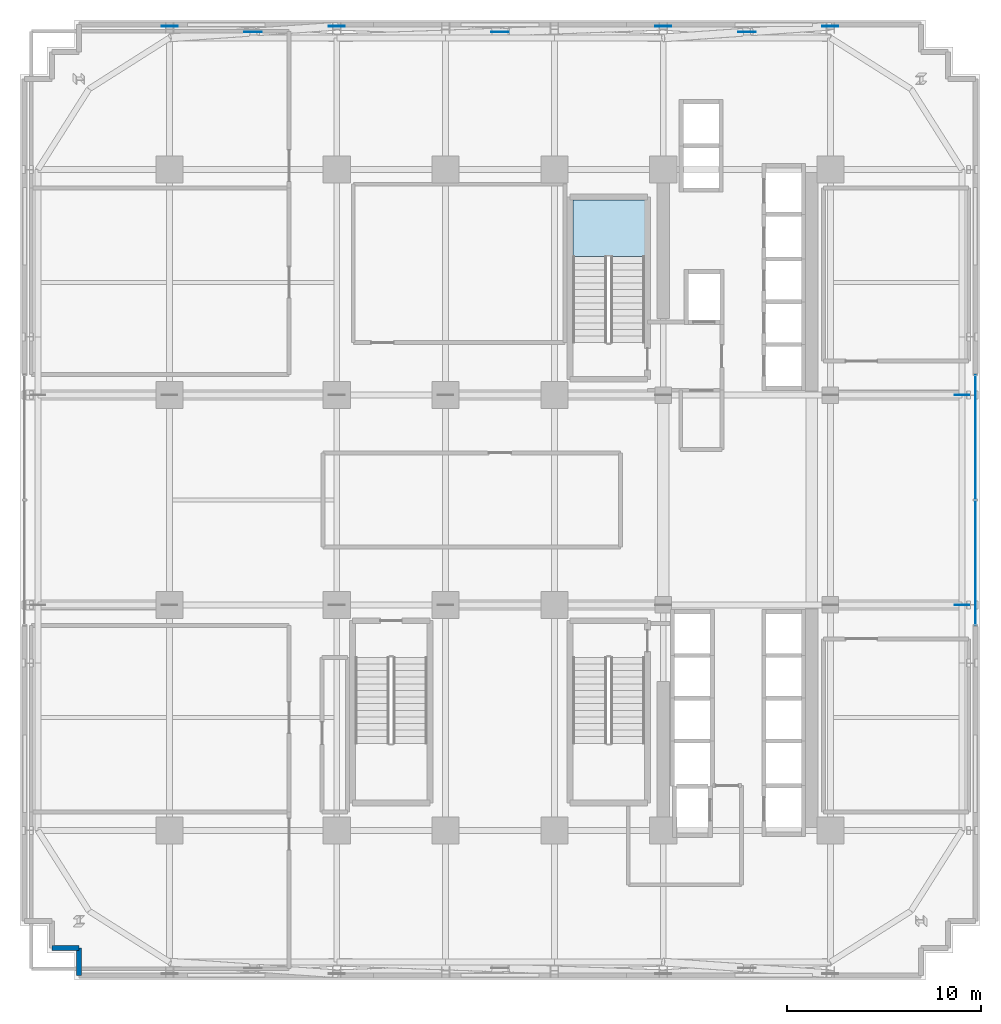
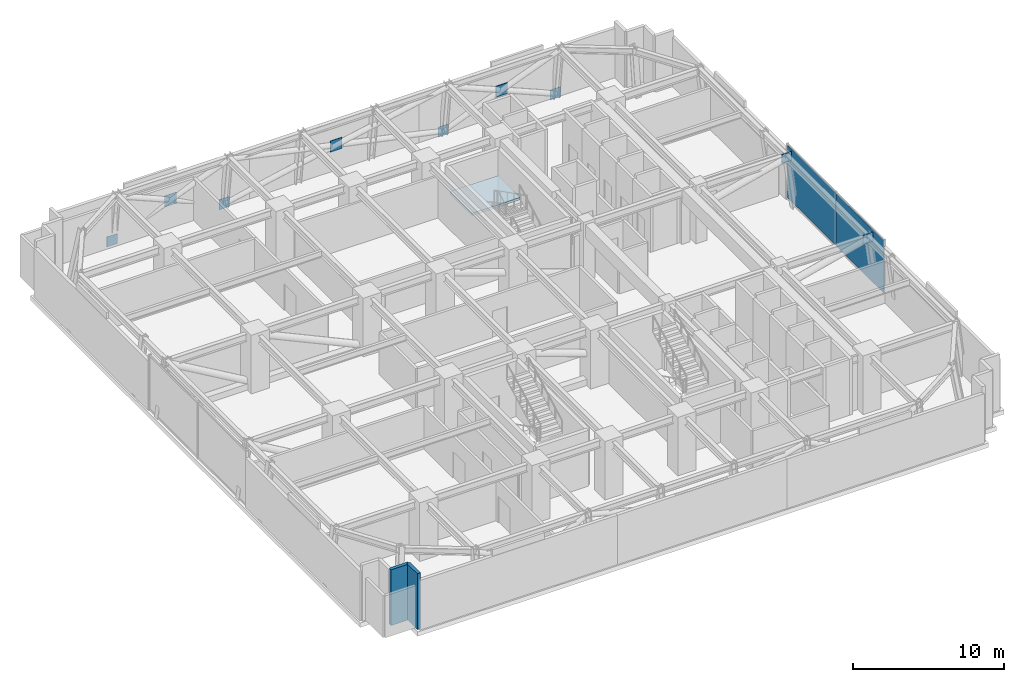
# One storey, part 9 of 17: 11 plates, 2 walls, 1 slab, 2 elements without a shape of their own.
"""IFC4 building model written with IfcOpenShell, lengths in metres."""

import ifcopenshell
import ifcopenshell.guid

model = None  # the IFC model being written
_history = None  # IfcOwnerHistory: only IFC2X3 demands one
_inside = {}  # id of a spatial element -> (the spatial element, [elements in it])
_under = {}  # id of a project, library or spatial element -> (it, [spatial elements below it])
_declared = {}  # id of a project -> (the project, [libraries it declares])
_typed = {}  # id of a type object -> (the type object, [elements of that type])
_made_of = {}  # id of a material, layer set ... -> (it, [elements and type objects made of it])


def new_model(schema):
    """Start an empty IFC model of exactly this schema.

    Asked for "IFC4X3", IfcOpenShell would pick the latest addendum, in which some entities
    have other attributes; the version numbers below select the first issue.
    IFC2X3 requires an IfcOwnerHistory on every rooted entity: one is made here for all.
    """
    global model, _history
    if schema == "IFC4X3":
        model = ifcopenshell.file(schema_version=(4, 3, 0, 0))
    else:
        model = ifcopenshell.file(schema=schema)
    _inside.clear()
    _under.clear()
    _declared.clear()
    _typed.clear()
    _made_of.clear()
    _history = None
    if model.schema == "IFC2X3":
        org = make("IfcOrganization", Name="unknown")
        user = make(
            "IfcPersonAndOrganization",
            ThePerson=make("IfcPerson", FamilyName="unknown"),
            TheOrganization=org,
        )
        app = make(
            "IfcApplication",
            ApplicationDeveloper=org,
            Version="unknown",
            ApplicationFullName="unknown",
            ApplicationIdentifier="unknown",
        )
        _history = make(
            "IfcOwnerHistory",
            OwningUser=user,
            OwningApplication=app,
            ChangeAction="ADDED",
            CreationDate=0,
        )
    return model


def make(cls, **values):
    """One entity of the class cls with the attributes given. An attribute that is None is left unset."""
    return model.create_entity(
        cls, **{name: value for name, value in values.items() if value is not None}
    )


def rooted(cls, **values):
    """An entity with a GlobalId (a new one), such as an element, a storey or a relation."""
    return make(cls, GlobalId=ifcopenshell.guid.new(), OwnerHistory=_history, **values)


def si_unit(unit_type, name, prefix=None):
    """IfcSIUnit, for example si_unit("LENGTHUNIT", "METRE", prefix="MILLI")."""
    return make("IfcSIUnit", UnitType=unit_type, Prefix=prefix, Name=name)


def assignment(units):
    """IfcUnitAssignment: the units of a project."""
    return None if units is None else make("IfcUnitAssignment", Units=units)


def point(xyz):
    """IfcCartesianPoint."""
    return None if xyz is None else make("IfcCartesianPoint", Coordinates=xyz)


def direction(xyz):
    """IfcDirection."""
    return None if xyz is None else make("IfcDirection", DirectionRatios=xyz)


def frame(location, z_axis=None, x_axis=None):
    """IfcAxis2Placement3D, a coordinate frame: its origin and axes. An axis left out is left unset."""
    return make(
        "IfcAxis2Placement3D",
        Location=point(location),
        Axis=direction(z_axis),
        RefDirection=direction(x_axis),
    )


def frame_2d(location, x_axis=None):
    """IfcAxis2Placement2D, a coordinate frame in the plane: its origin and x axis."""
    return make(
        "IfcAxis2Placement2D", Location=point(location), RefDirection=direction(x_axis)
    )


def origin():
    """The frame at (0, 0, 0) with its axes left unset."""
    return frame((0.0, 0.0, 0.0))


def origin_2d():
    """The frame at (0, 0) in the plane with its x axis left unset."""
    return frame_2d((0.0, 0.0))


def place(relative_to, where):
    """IfcLocalPlacement: puts the frame where relative to a parent placement (None: the world)."""
    return make(
        "IfcLocalPlacement", PlacementRelTo=relative_to, RelativePlacement=where
    )


def context(
    kind, dimensions, precision=None, world=None, true_north=None, identifier=None
):
    """IfcGeometricRepresentationContext, for example the 3D "Model" context."""
    return make(
        "IfcGeometricRepresentationContext",
        ContextIdentifier=identifier,
        ContextType=kind,
        CoordinateSpaceDimension=dimensions,
        Precision=precision,
        WorldCoordinateSystem=world,
        TrueNorth=true_north,
    )


def subcontext(parent, identifier, kind, view, scale=None):
    """IfcGeometricRepresentationSubContext, for example "Body" below "Model"."""
    return make(
        "IfcGeometricRepresentationSubContext",
        ContextIdentifier=identifier,
        ContextType=kind,
        ParentContext=parent,
        TargetScale=scale,
        TargetView=view,
    )


def project(units=None, contexts=None):
    """IfcProject with its units and contexts."""
    return rooted(
        "IfcProject",
        Name="project",
        RepresentationContexts=contexts,
        UnitsInContext=assignment(units),
    )


def spatial(cls, under=None, at=None, **own):
    """A site, building, storey or space (cls), placed at a placement, below another one or the project."""
    s = rooted(cls, ObjectPlacement=at, **own)
    if under is not None:
        _under.setdefault(under.id(), (under, []))[1].append(s)
    return s


def polyline(points):
    """IfcPolyline through the points."""
    return make("IfcPolyline", Points=[point(p) for p in points])


def profile(cls, at=None, kind="AREA", **sizes):
    """A parametric profile (cls). Its sizes go by their IFC names, for example OverallWidth=200.0."""
    return make(cls, ProfileType=kind, Position=at, **sizes)


def rectangle(**sizes):
    """IfcRectangleProfileDef."""
    return profile("IfcRectangleProfileDef", **sizes)


def outline(outer, holes=None, kind="AREA"):
    """IfcArbitraryClosedProfileDef: a profile drawn as a closed curve; with holes, ...WithVoids."""
    if holes is None:
        return make("IfcArbitraryClosedProfileDef", ProfileType=kind, OuterCurve=outer)
    return make(
        "IfcArbitraryProfileDefWithVoids",
        ProfileType=kind,
        OuterCurve=outer,
        InnerCurves=holes,
    )


def extrude(swept, where, along, depth):
    """IfcExtrudedAreaSolid: the profile swept, set in the frame where, extruded along a direction by depth."""
    return make(
        "IfcExtrudedAreaSolid",
        SweptArea=swept,
        Position=where,
        ExtrudedDirection=direction(along),
        Depth=depth,
    )


def shape(context_of_items, identifier, shape_type, items):
    """IfcShapeRepresentation: the items that make up one representation, for example the "Body"."""
    return make(
        "IfcShapeRepresentation",
        ContextOfItems=context_of_items,
        RepresentationIdentifier=identifier,
        RepresentationType=shape_type,
        Items=items,
    )


def source(mapping_origin, context_of_items, identifier, shape_type, items):
    """IfcRepresentationMap: a shape defined once, which mapped items show again and again."""
    return make(
        "IfcRepresentationMap",
        MappingOrigin=mapping_origin,
        MappedRepresentation=shape(context_of_items, identifier, shape_type, items),
    )


def transform(
    local_origin,
    x_axis=None,
    y_axis=None,
    z_axis=None,
    scale=None,
    scale2=None,
    scale3=None,
    uniform=True,
):
    """IfcCartesianTransformationOperator3D, or its non-uniform kind. x_axis, y_axis, z_axis: its Axis1, 2, 3."""
    if uniform:
        return make(
            "IfcCartesianTransformationOperator3D",
            Axis1=direction(x_axis),
            Axis2=direction(y_axis),
            LocalOrigin=point(local_origin),
            Scale=scale,
            Axis3=direction(z_axis),
        )
    return make(
        "IfcCartesianTransformationOperator3DnonUniform",
        Axis1=direction(x_axis),
        Axis2=direction(y_axis),
        LocalOrigin=point(local_origin),
        Scale=scale,
        Axis3=direction(z_axis),
        Scale2=scale2,
        Scale3=scale3,
    )


def mapped(mapping_source, mapping_target):
    """IfcMappedItem: shows the shape of a source again, moved by a transform."""
    return make(
        "IfcMappedItem", MappingSource=mapping_source, MappingTarget=mapping_target
    )


def material(Name=None, Category=None):
    """IfcMaterial."""
    return make("IfcMaterial", Name=Name, Category=Category)


def layer(
    of_material, thickness, ventilated=None, Name=None, Category=None, Priority=None
):
    """IfcMaterialLayer: one layer of a wall or slab, of a material (None: an air gap)."""
    return make(
        "IfcMaterialLayer",
        Material=of_material,
        LayerThickness=thickness,
        IsVentilated=ventilated,
        Name=Name,
        Category=Category,
        Priority=Priority,
    )


def layer_set(layers, Name=None):
    """IfcMaterialLayerSet."""
    return make("IfcMaterialLayerSet", MaterialLayers=layers, LayerSetName=Name)


def made_of(thing, what):
    """Note that an element or type object is made of a material, layer set ...; save() writes the relation."""
    if what is not None:
        _made_of.setdefault(what.id(), (what, []))[1].append(thing)
    return thing


def type_object(cls, material=None, **own):
    """A type object (cls), such as IfcWallType, which elements share."""
    return made_of(rooted(cls, **own), material)


def element(
    cls,
    number,
    at=None,
    inside=None,
    cuts=None,
    type_object=None,
    material=None,
    context=None,
    identifier="Body",
    shape_type=None,
    held_by="IfcProductDefinitionShape",
    body=None,
    shapes=None,
    **own,
):
    """One element of the class cls, such as IfcWall. Its Tag is "e" and its number.

    at: its placement. inside: the storey or other place that contains it. cuts: it is an
    opening in that element (IfcRelVoidsElement). A single representation is given by context,
    identifier, shape_type and body (its items); several are given by shapes. held_by: the class
    of the entity that holds the representations. save() writes the other relations.
    """
    e = rooted(cls, Tag="e%d" % number, ObjectPlacement=at, **own)
    if body is not None:
        shapes = [shape(context, identifier, shape_type, body)]
    if shapes is not None:
        e.Representation = make(held_by, Representations=shapes)
    if inside is not None:
        _inside.setdefault(inside.id(), (inside, []))[1].append(e)
    if cuts is not None:
        rooted(
            "IfcRelVoidsElement", RelatingBuildingElement=cuts, RelatedOpeningElement=e
        )
    if type_object is not None:
        _typed.setdefault(type_object.id(), (type_object, []))[1].append(e)
    return made_of(e, material)


def aggregate(whole, parts):
    """IfcRelAggregates: a whole, such as a stair, and the parts it consists of."""
    return rooted("IfcRelAggregates", RelatingObject=whole, RelatedObjects=parts)


def save(model, path):
    """Write the relations noted so far, then the file.

    IfcRelAggregates (storeys below a building ...), IfcRelContainedInSpatialStructure (elements
    in a storey), IfcRelDefinesByType, IfcRelAssociatesMaterial and IfcRelDeclares: one each for
    every whole, place, type object, material and project.
    """
    for whole, parts in _under.values():
        aggregate(whole, parts)
    for where, things in _inside.values():
        rooted(
            "IfcRelContainedInSpatialStructure",
            RelatedElements=things,
            RelatingStructure=where,
        )
    for kind, things in _typed.values():
        rooted("IfcRelDefinesByType", RelatedObjects=things, RelatingType=kind)
    for what, things in _made_of.values():
        rooted("IfcRelAssociatesMaterial", RelatedObjects=things, RelatingMaterial=what)
    for by, libraries in _declared.values():
        rooted("IfcRelDeclares", RelatingContext=by, RelatedDefinitions=libraries)
    model.write(path)


model = new_model("IFC4")

# Units and contexts
model_context = context("Model", 3, precision=1e-05, world=origin(), true_north=direction((0.0, 1.0)))
body_context = subcontext(model_context, "Body", "Model", "MODEL_VIEW")
ifc_project = project(units=[si_unit("LENGTHUNIT", "METRE"), si_unit("AREAUNIT", "SQUARE_METRE"), si_unit("VOLUMEUNIT", "CUBIC_METRE"), si_unit("PLANEANGLEUNIT", "RADIAN"), si_unit("MASSUNIT", "GRAM", prefix="KILO")], contexts=[model_context])

# Site, building, storey
site_placement = place(None, origin())
site = spatial("IfcSite", under=ifc_project, at=site_placement, CompositionType="ELEMENT")
building_placement = place(site_placement, origin())
building = spatial("IfcBuilding", under=site, at=building_placement, Name="Nahalor Promenade Grand Hotel", CompositionType="ELEMENT")
storey_placement = place(building_placement, frame((0.0, 0.0, 83.5)))
storey = spatial("IfcBuildingStorey", under=building, at=storey_placement, Name="L20", CompositionType="ELEMENT", Elevation=83.5)

# Stair, slab
ifc_material_1 = material(Name="Concrete B-50 (C40/50)", Category="concrete")
stair_type = type_object("IfcStairType", Name="Stair-ST1", PredefinedType="HALF_TURN_STAIR", material=ifc_material_1)
stair_placement = place(storey_placement, origin())
stair = element("IfcStair", 1, at=stair_placement, inside=storey, type_object=stair_type, Name="L20 ST1", PredefinedType="HALF_TURN_STAIR")
ifc_layer_1 = layer(ifc_material_1, 0.199951171875)
ifc_layer_set_1 = layer_set([ifc_layer_1], Name="Concrete B-50 (C40/50)")
slab_type = type_object("IfcSlabType", Name="Landing-ST1", PredefinedType="LANDING", material=ifc_layer_set_1)
slab_placement = place(storey_placement, frame((0.0, 0.0, 2.199951171875)))
slab = element("IfcSlab", 2, at=slab_placement, type_object=slab_type, Name="ST1 landing 1", PredefinedType="LANDING", context=body_context, shape_type="SweptSolid", body=[
    extrude(outline(polyline([(7.449951171875, 12.52001953125), (7.449951171875, 15.449951171875), (3.75, 15.449951171875), (3.75, 12.52001953125), (7.449951171875, 12.52001953125)])), origin(), (0.0, 0.0, 1.0), 0.199951171875),
])
aggregate(stair, [slab])

# Plates
ifc_material_2 = material(Name="Steel S355J2", Category="steel")
ifc_layer_2 = layer(ifc_material_2, 0.035888671875)
ifc_layer_set_2 = layer_set([ifc_layer_2], Name="Steel S355J2")
plate_type_1 = type_object("IfcPlateType", Name="Plate-CrossGusset-36", PredefinedType="USERDEFINED", material=ifc_layer_set_2)
shared_shape_1 = source(origin(), body_context, "Body", "SweptSolid", [
    extrude(rectangle(XDim=0.89990234375, YDim=0.035888671875, at=origin_2d()), origin(), (0.0, 0.0, 1.0), 0.89990234375),
])
for number, where, z_axis, x_axis, name in (
    (3, (-12.699951171875, 24.080078125, 1.824951171875), (0.0, 0.0, 1.0), (1.0, 0.0, 0.0), "PL-L20-BTX-N-0"),
    (4, (0.0, 24.080078125, 1.824951171875), (0.0, 0.0, 1.0), (1.0, 0.0, 0.0), "PL-L20-BTX-N-1"),
    (5, (12.699951171875, 24.080078125, 1.824951171875), (0.0, 0.0, 1.0), (1.0, 0.0, 0.0), "PL-L20-BTX-N-2"),
):
    element("IfcPlate", number, at=place(storey_placement, frame(where, z_axis=z_axis, x_axis=x_axis)), inside=storey, type_object=plate_type_1, Name=name, ObjectType="GUSSET_PLATE", PredefinedType="USERDEFINED", context=body_context, shape_type="MappedRepresentation", body=[
        mapped(shared_shape_1, transform((0.0, 0.0, 0.0), scale=1.0)),
    ])
ifc_material_3 = material(Name="Steel S355JR", Category="steel")
ifc_layer_3 = layer(ifc_material_3, 0.028076171875)
ifc_layer_set_3 = layer_set([ifc_layer_3], Name="Steel S355JR")
plate_type_2 = type_object("IfcPlateType", Name="Plate-Gusset-28", PredefinedType="USERDEFINED", material=ifc_layer_set_3)
shared_shape_2 = source(origin(), body_context, "Body", "SweptSolid", [
    extrude(rectangle(XDim=0.75, YDim=0.028076171875, at=origin_2d()), origin(), (0.0, 0.0, 1.0), 0.75),
])
for number, where, z_axis, x_axis, name in (
    (6, (23.780029296875, -5.39990234375, 3.875), (0.0, 0.0, 1.0), (1.0, 0.0, 0.0), "PL-L20-OU-1-7"),
    (7, (23.780029296875, 5.39990234375, 3.875), (0.0, 0.0, 1.0), (1.0, 0.0, 0.0), "PL-L20-OU-2-7"),
):
    element("IfcPlate", number, at=place(storey_placement, frame(where, z_axis=z_axis, x_axis=x_axis)), inside=storey, type_object=plate_type_2, Name=name, ObjectType="GUSSET_PLATE", PredefinedType="USERDEFINED", context=body_context, shape_type="MappedRepresentation", body=[
        mapped(shared_shape_2, transform((0.0, 0.0, 0.0), scale=1.0)),
    ])
ifc_layer_4 = layer(ifc_material_2, 0.031982421875)
ifc_layer_set_4 = layer_set([ifc_layer_4], Name="Steel S355J2")
plate_type_3 = type_object("IfcPlateType", Name="Plate-BeltGusset-32", PredefinedType="USERDEFINED", material=ifc_layer_set_4)
shared_shape_3 = source(origin(), body_context, "Body", "SweptSolid", [
    extrude(rectangle(XDim=0.820068359375, YDim=0.031982421875, at=origin_2d()), origin(), (0.0, 0.0, 1.0), 0.820068359375),
])
for number, where, z_axis, x_axis, name in (
    (8, (-17.0, 24.3798828125, -0.10986328125), (0.0, 0.0, 1.0), (1.0, 0.0, 0.0), "PL-L20-BELT-N-1"),
    (9, (-8.39990234375, 24.3798828125, -0.10986328125), (0.0, 0.0, 1.0), (1.0, 0.0, 0.0), "PL-L20-BELT-N-2"),
    (10, (8.39990234375, 24.3798828125, -0.10986328125), (0.0, 0.0, 1.0), (1.0, 0.0, 0.0), "PL-L20-BELT-N-3"),
    (11, (17.0, 24.3798828125, -0.10986328125), (0.0, 0.0, 1.0), (1.0, 0.0, 0.0), "PL-L20-BELT-N-4"),
):
    element("IfcPlate", number, at=place(storey_placement, frame(where, z_axis=z_axis, x_axis=x_axis)), inside=storey, type_object=plate_type_3, Name=name, ObjectType="GUSSET_PLATE", PredefinedType="USERDEFINED", context=body_context, shape_type="MappedRepresentation", body=[
        mapped(shared_shape_3, transform((0.0, 0.0, 0.0), scale=1.0)),
    ])

# Curtain wall, plates
ifc_material_4 = material(Name="Anodised Bronze Aluminium EN AW-6063 T6", Category="aluminium")
curtain_wall_type = type_object("IfcCurtainWallType", Name="CW6 Crown Botanical Conservatory Curtain Wall", PredefinedType="USERDEFINED", material=ifc_material_4)
curtain_wall_placement = place(storey_placement, origin())
curtain_wall = element("IfcCurtainWall", 12, at=curtain_wall_placement, inside=storey, type_object=curtain_wall_type, Name="L20 Curtain Wall CW-L20-E", ObjectType="UNITISED_CURTAIN_WALL", PredefinedType="USERDEFINED")
ifc_material_5 = material(Name="Low-E Laminated Solar Glass", Category="glass")
ifc_layer_5 = layer(ifc_material_5, 0.033935546875)
ifc_layer_set_5 = layer_set([ifc_layer_5], Name="Low-E Laminated Solar Glass")
plate_type_4 = type_object("IfcPlateType", Name="CWP6 Conservatory Solar-Select IGU 34mm", PredefinedType="CURTAIN_PANEL", material=ifc_layer_set_5)
shared_shape_4 = source(origin(), body_context, "Body", "SweptSolid", [
    extrude(rectangle(XDim=6.387451171875, YDim=0.033935546875, at=origin_2d()), origin(), (0.0, 0.0, 1.0), 4.260009765625),
])
plate_1_placement = place(storey_placement, frame((24.4599609375, -3.231201171875, 0.134765625), z_axis=(0.0, 0.0, 1.0), x_axis=(0.0, 1.0, 0.0)))
plate_1 = element("IfcPlate", 13, at=plate_1_placement, type_object=plate_type_4, Name="CW-L20-E Glazing Panel 0-0", PredefinedType="CURTAIN_PANEL", context=body_context, shape_type="MappedRepresentation", body=[
    mapped(shared_shape_4, transform((0.0, 0.0, 0.0), scale=1.0)),
])
plate_2_placement = place(storey_placement, frame((24.4599609375, 3.231201171875, 0.134765625), z_axis=(0.0, 0.0, 1.0), x_axis=(0.0, 1.0, 0.0)))
plate_2 = element("IfcPlate", 14, at=plate_2_placement, type_object=plate_type_4, Name="CW-L20-E Glazing Panel 1-0", PredefinedType="CURTAIN_PANEL", context=body_context, shape_type="MappedRepresentation", body=[
    mapped(shared_shape_4, transform((0.0, 0.0, 0.0), scale=1.0)),
])
aggregate(curtain_wall, [plate_1, plate_2])

# Walls
ifc_material_6 = material(Name="Concrete B-40 (C32/40)", Category="concrete")
ifc_layer_6 = layer(ifc_material_6, 0.25)
ifc_layer_set_6 = layer_set([ifc_layer_6], Name="Concrete B-40 (C32/40)")
wall_type = type_object("IfcWallType", Name="Wall-BronzePier-250", PredefinedType="STANDARD", material=ifc_layer_set_6)
shared_shape_5 = source(origin(), body_context, "Body", "SweptSolid", [
    extrude(rectangle(XDim=1.39990234375, YDim=0.25, at=frame_2d((0.699951171875, 0.0))), origin(), (0.0, 0.0, 1.0), 4.530029296875),
])
wall_1_placement = place(storey_placement, frame((-21.659912109375, -24.4599609375, 0.0), z_axis=(0.0, 0.0, 1.0), x_axis=(0.0, 1.0, 0.0)))
element("IfcWall", 15, at=wall_1_placement, inside=storey, type_object=wall_type, Name="W-L20-SR-16", PredefinedType="STANDARD", context=body_context, shape_type="MappedRepresentation", body=[
    mapped(shared_shape_5, transform((0.0, 0.0, 0.0), scale=1.0)),
])
shared_shape_6 = source(origin(), body_context, "Body", "SweptSolid", [
    extrude(rectangle(XDim=1.400146484375, YDim=0.25, at=frame_2d((0.7001953125, 0.0))), origin(), (0.0, 0.0, 1.0), 4.530029296875),
])
wall_2_placement = place(storey_placement, frame((-23.06005859375, -23.06005859375, 0.0), z_axis=(0.0, 0.0, 1.0), x_axis=(1.0, 0.0, 0.0)))
element("IfcWall", 16, at=wall_2_placement, inside=storey, type_object=wall_type, Name="W-L20-SR-15", PredefinedType="STANDARD", context=body_context, shape_type="MappedRepresentation", body=[
    mapped(shared_shape_6, transform((0.0, 0.0, 0.0), scale=1.0)),
])

save(model, "model.ifc")
